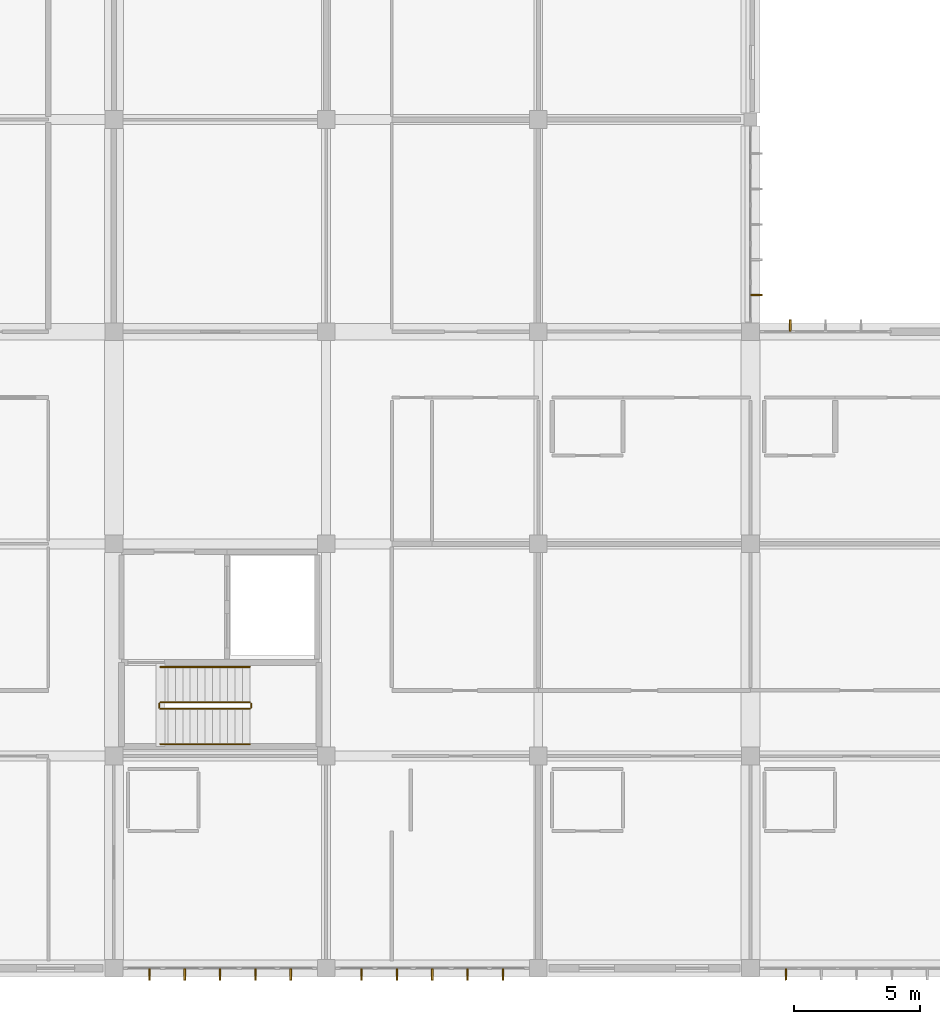
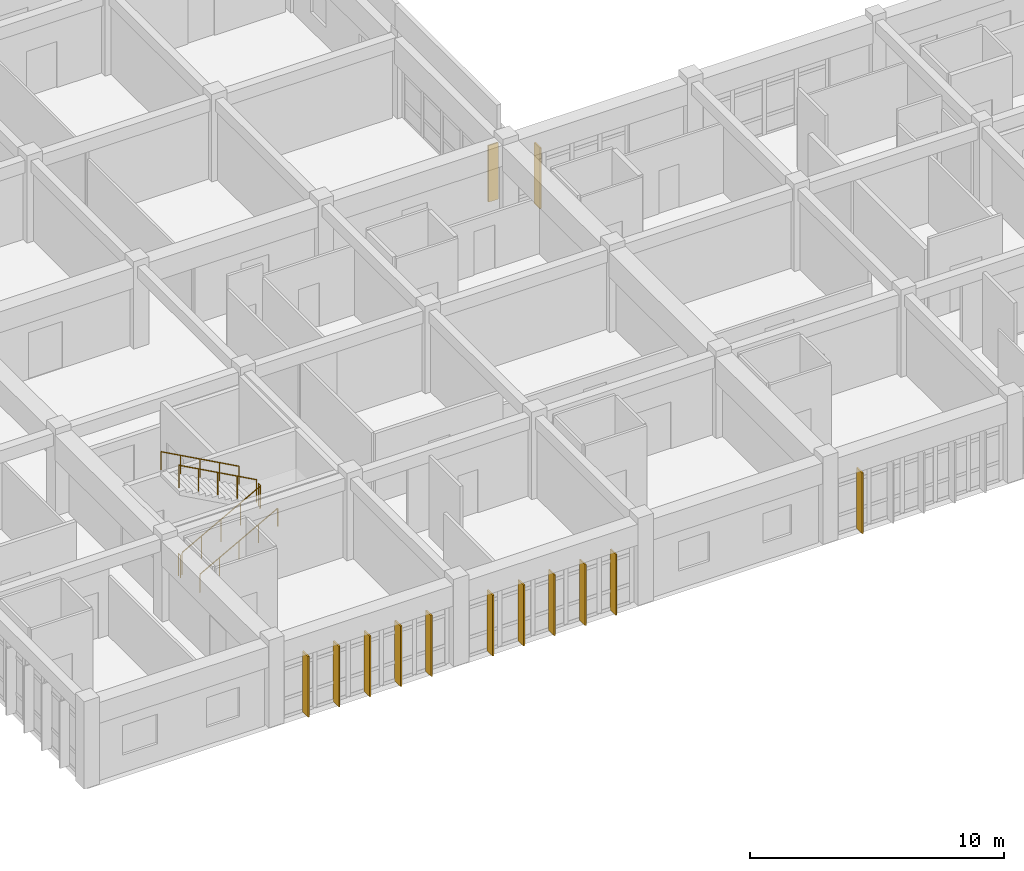
# One storey, part 104 of 119: 13 shading devices, 6 railings.
"""IFC4 building model written with IfcOpenShell, lengths in metres."""

from ifc_helpers import new_model, si_unit, direction, frame, origin, origin_2d, place, context, subcontext, project, spatial, rectangle, circle, extrude, material, material_profile, profile_set, type_object, element, save


model = new_model("IFC4")

# Units and contexts
model_context = context("Model", 3, precision=1e-05, world=origin(), true_north=direction((0.0, 1.0)))
body_context = subcontext(model_context, "Body", "Model", "MODEL_VIEW")
ifc_project = project(units=[si_unit("LENGTHUNIT", "METRE"), si_unit("AREAUNIT", "SQUARE_METRE"), si_unit("VOLUMEUNIT", "CUBIC_METRE"), si_unit("PLANEANGLEUNIT", "RADIAN"), si_unit("MASSUNIT", "GRAM", prefix="KILO")], contexts=[model_context])

# Site, building, storey
site_placement = place(None, origin())
site = spatial("IfcSite", under=ifc_project, at=site_placement, CompositionType="ELEMENT")
building_placement = place(site_placement, origin())
building = spatial("IfcBuilding", under=site, at=building_placement, Name="Bramfleet General Hospital", CompositionType="ELEMENT")
storey_placement = place(building_placement, frame((0.0, 0.0, 14.39990234375)))
storey = spatial("IfcBuildingStorey", under=building, at=storey_placement, Name="L03", CompositionType="ELEMENT", Elevation=14.39990234375)

# Railings
ifc_material_1 = material(Name="Powder-coated steel stair balustrade", Category="steel")
railing_type_1 = type_object("IfcRailingType", Name="RAIL-ST-GUARD", PredefinedType="GUARDRAIL", material=ifc_material_1)
railing_1_placement = place(storey_placement, frame((102.639892578125, 10.27001953125, 0.16162109375)))
element("IfcRailing", 1, at=railing_1_placement, inside=storey, type_object=railing_type_1, Name="L03 ST-C3 stair guard 1", PredefinedType="GUARDRAIL", context=body_context, shape_type="SweptSolid", body=[
    extrude(circle(Radius=0.02392578125, at=origin_2d()), frame((0.0, 0.0, 1.076171875), z_axis=(0.877108402541, 0.0, 0.480292463185), x_axis=(0.0, 1.0, 0.0)), (0.0, 0.0, 1.0), 4.0361328125),
    extrude(circle(Radius=0.02099609375, at=origin_2d()), origin(), (0.0, 0.0, 1.0), 1.052001953125),
    extrude(circle(Radius=0.02099609375, at=origin_2d()), frame((0.885009765625, 0.0, 0.484619140625)), (0.0, 0.0, 1.0), 1.052001953125),
    extrude(circle(Radius=0.02099609375, at=origin_2d()), frame((1.77001953125, 0.0, 0.96923828125)), (0.0, 0.0, 1.0), 1.052001953125),
    extrude(circle(Radius=0.02099609375, at=origin_2d()), frame((2.655029296875, 0.0, 1.453857421875)), (0.0, 0.0, 1.0), 1.052001953125),
    extrude(circle(Radius=0.02099609375, at=origin_2d()), frame((3.5400390625, 0.0, 1.9384765625)), (0.0, 0.0, 1.0), 1.052001953125),
])
railing_2_placement = place(storey_placement, frame((106.22998046875, 10.320068359375, 2.10009765625)))
element("IfcRailing", 2, at=railing_2_placement, inside=storey, type_object=railing_type_1, Name="L03 ST-C3 stair guard 2", PredefinedType="GUARDRAIL", context=body_context, shape_type="SweptSolid", body=[
    extrude(circle(Radius=0.02392578125, at=origin_2d()), frame((0.0, 0.0, 1.076171875), z_axis=(0.0, 1.0, 0.0), x_axis=(-1.0, 0.0, 0.0)), (0.0, 0.0, 1.0), 0.159912109375),
    extrude(circle(Radius=0.02099609375, at=origin_2d()), origin(), (0.0, 0.0, 1.0), 1.052001953125),
    extrude(circle(Radius=0.02099609375, at=origin_2d()), frame((0.0, 0.159912109375, 0.0)), (0.0, 0.0, 1.0), 1.052001953125),
])
railing_3_placement = place(storey_placement, frame((106.179931640625, 10.530029296875, 2.26171875)))
element("IfcRailing", 3, at=railing_3_placement, inside=storey, type_object=railing_type_1, Name="L03 ST-C3 stair guard 3", PredefinedType="GUARDRAIL", context=body_context, shape_type="SweptSolid", body=[
    extrude(circle(Radius=0.02392578125, at=origin_2d()), frame((0.0, 0.0, 1.076171875), z_axis=(-0.877108402541, 0.0, 0.480292463185), x_axis=(0.0, -1.0, 0.0)), (0.0, 0.0, 1.0), 4.0361328125),
    extrude(circle(Radius=0.02099609375, at=origin_2d()), origin(), (0.0, 0.0, 1.0), 1.052001953125),
    extrude(circle(Radius=0.02099609375, at=origin_2d()), frame((-0.885009765625, 0.0, 0.484619140625)), (0.0, 0.0, 1.0), 1.052001953125),
    extrude(circle(Radius=0.02099609375, at=origin_2d()), frame((-1.77001953125, 0.0, 0.96923828125)), (0.0, 0.0, 1.0), 1.052001953125),
    extrude(circle(Radius=0.02099609375, at=origin_2d()), frame((-2.655029296875, 0.0, 1.453857421875)), (0.0, 0.0, 1.0), 1.052001953125),
    extrude(circle(Radius=0.02099609375, at=origin_2d()), frame((-3.5400390625, 0.0, 1.9384765625)), (0.0, 0.0, 1.0), 1.052001953125),
])
railing_4_placement = place(storey_placement, frame((102.590087890625, 10.320068359375, 0.0)))
element("IfcRailing", 4, at=railing_4_placement, inside=storey, type_object=railing_type_1, Name="L03 ST-C3 stair guard 4", PredefinedType="GUARDRAIL", context=body_context, shape_type="SweptSolid", body=[
    extrude(circle(Radius=0.02392578125, at=origin_2d()), frame((0.0, 0.0, 1.076171875), z_axis=(0.0, 1.0, 0.0), x_axis=(-1.0, 0.0, 0.0)), (0.0, 0.0, 1.0), 0.159912109375),
    extrude(circle(Radius=0.02099609375, at=origin_2d()), origin(), (0.0, 0.0, 1.0), 1.052001953125),
    extrude(circle(Radius=0.02099609375, at=origin_2d()), frame((0.0, 0.159912109375, 0.0)), (0.0, 0.0, 1.0), 1.052001953125),
])
ifc_material_2 = material(Name="Stainless steel 1.4301 stair handrail", Category="steel")
railing_type_2 = type_object("IfcRailingType", Name="RAIL-ST-HND", PredefinedType="HANDRAIL", material=ifc_material_2)
railing_5_placement = place(storey_placement, frame((102.639892578125, 8.8701171875, 0.16162109375)))
element("IfcRailing", 5, at=railing_5_placement, inside=storey, type_object=railing_type_2, Name="L03 ST-C3 stair handrail 1", PredefinedType="HANDRAIL", context=body_context, shape_type="SweptSolid", body=[
    extrude(circle(Radius=0.02392578125, at=origin_2d()), frame((0.0, 0.0, 0.8759765625), z_axis=(0.877108402541, 0.0, 0.480292463185), x_axis=(0.0, 1.0, 0.0)), (0.0, 0.0, 1.0), 4.0361328125),
    extrude(circle(Radius=0.02099609375, at=origin_2d()), origin(), (0.0, 0.0, 1.0), 0.851806640625),
    extrude(circle(Radius=0.02099609375, at=origin_2d()), frame((0.885009765625, 0.0, 0.484619140625)), (0.0, 0.0, 1.0), 0.851806640625),
    extrude(circle(Radius=0.02099609375, at=origin_2d()), frame((1.77001953125, 0.0, 0.96923828125)), (0.0, 0.0, 1.0), 0.851806640625),
    extrude(circle(Radius=0.02099609375, at=origin_2d()), frame((2.655029296875, 0.0, 1.453857421875)), (0.0, 0.0, 1.0), 0.851806640625),
    extrude(circle(Radius=0.02099609375, at=origin_2d()), frame((3.5400390625, 0.0, 1.9384765625)), (0.0, 0.0, 1.0), 0.851806640625),
])
railing_6_placement = place(storey_placement, frame((106.179931640625, 11.929931640625, 2.26171875)))
element("IfcRailing", 6, at=railing_6_placement, inside=storey, type_object=railing_type_2, Name="L03 ST-C3 stair handrail 2", PredefinedType="HANDRAIL", context=body_context, shape_type="SweptSolid", body=[
    extrude(circle(Radius=0.02392578125, at=origin_2d()), frame((0.0, 0.0, 0.8759765625), z_axis=(-0.877108402541, 0.0, 0.480292463185), x_axis=(0.0, -1.0, 0.0)), (0.0, 0.0, 1.0), 4.0361328125),
    extrude(circle(Radius=0.02099609375, at=origin_2d()), origin(), (0.0, 0.0, 1.0), 0.851806640625),
    extrude(circle(Radius=0.02099609375, at=origin_2d()), frame((-0.885009765625, 0.0, 0.484619140625)), (0.0, 0.0, 1.0), 0.851806640625),
    extrude(circle(Radius=0.02099609375, at=origin_2d()), frame((-1.77001953125, 0.0, 0.96923828125)), (0.0, 0.0, 1.0), 0.851806640625),
    extrude(circle(Radius=0.02099609375, at=origin_2d()), frame((-2.655029296875, 0.0, 1.453857421875)), (0.0, 0.0, 1.0), 0.851806640625),
    extrude(circle(Radius=0.02099609375, at=origin_2d()), frame((-3.5400390625, 0.0, 1.9384765625)), (0.0, 0.0, 1.0), 0.851806640625),
])

# Shading devices
ifc_material_3 = material(Name="Treated European larch timber", Category="wood")
ifc_material_profile = material_profile(ifc_material_3, rectangle(XDim=0.06494140625, YDim=0.449951171875, at=origin_2d()), Name="LARCH FIN 450x65")
ifc_profile_set = profile_set([ifc_material_profile], Name="Treated European larch timber")
shading_device_type = type_object("IfcShadingDeviceType", Name="SHD-FIN-450", PredefinedType="USERDEFINED", material=ifc_profile_set)
shading_device_placement = place(storey_placement, frame((126.239990234375, 26.64990234375, -0.02001953125), z_axis=(0.0, 0.0, 1.0), x_axis=(0.0, -1.0, 0.0)))
element("IfcShadingDevice", 7, at=shading_device_placement, inside=storey, type_object=shading_device_type, Name="L03 Larch Timber Shading Fin 604", ObjectType="Fin", PredefinedType="USERDEFINED", context=body_context, shape_type="SweptSolid", body=[
    extrude(rectangle(XDim=0.06494140625, YDim=0.449951171875, at=origin_2d()), origin(), (0.0, 0.0, 1.0), 2.72021484375),
])
for number, where, z_axis, x_axis, name in (
    (8, (127.572998046875, 25.43994140625, -0.02001953125), (0.0, 0.0, 1.0), (1.0, 0.0, 0.0), "L03 Larch Timber Shading Fin 605"),
    (9, (127.39990234375, -0.239990234375, -0.02001953125), (0.0, 0.0, 1.0), (-1.0, 0.0, 0.0), "L03 Larch Timber Shading Fin 646"),
    (10, (116.199951171875, -0.239990234375, -0.02001953125), (0.0, 0.0, 1.0), (-1.0, 0.0, 0.0), "L03 Larch Timber Shading Fin 647"),
    (11, (114.800048828125, -0.239990234375, -0.02001953125), (0.0, 0.0, 1.0), (-1.0, 0.0, 0.0), "L03 Larch Timber Shading Fin 648"),
    (12, (113.39990234375, -0.239990234375, -0.02001953125), (0.0, 0.0, 1.0), (-1.0, 0.0, 0.0), "L03 Larch Timber Shading Fin 649"),
    (13, (112.0, -0.239990234375, -0.02001953125), (0.0, 0.0, 1.0), (-1.0, 0.0, 0.0), "L03 Larch Timber Shading Fin 650"),
    (14, (110.60009765625, -0.239990234375, -0.02001953125), (0.0, 0.0, 1.0), (-1.0, 0.0, 0.0), "L03 Larch Timber Shading Fin 651"),
    (15, (107.800048828125, -0.239990234375, -0.02001953125), (0.0, 0.0, 1.0), (-1.0, 0.0, 0.0), "L03 Larch Timber Shading Fin 652"),
    (16, (106.39990234375, -0.239990234375, -0.02001953125), (0.0, 0.0, 1.0), (-1.0, 0.0, 0.0), "L03 Larch Timber Shading Fin 653"),
    (17, (105.0, -0.239990234375, -0.02001953125), (0.0, 0.0, 1.0), (-1.0, 0.0, 0.0), "L03 Larch Timber Shading Fin 654"),
    (18, (103.60009765625, -0.239990234375, -0.02001953125), (0.0, 0.0, 1.0), (-1.0, 0.0, 0.0), "L03 Larch Timber Shading Fin 655"),
    (19, (102.199951171875, -0.239990234375, -0.02001953125), (0.0, 0.0, 1.0), (-1.0, 0.0, 0.0), "L03 Larch Timber Shading Fin 656"),
):
    element("IfcShadingDevice", number, at=place(storey_placement, frame(where, z_axis=z_axis, x_axis=x_axis)), inside=storey, type_object=shading_device_type, Name=name, ObjectType="Fin", PredefinedType="USERDEFINED", context=body_context, shape_type="SweptSolid", body=[
        extrude(rectangle(XDim=0.06494140625, YDim=0.449951171875, at=origin_2d()), origin(), (0.0, 0.0, 1.0), 2.920166015625),
    ])

save(model, "model.ifc")
